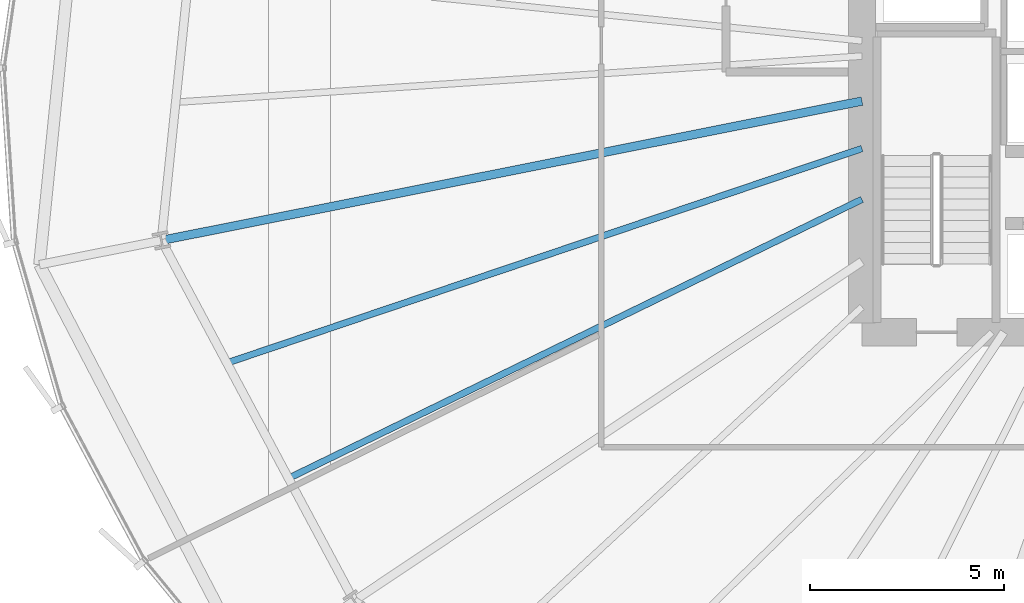
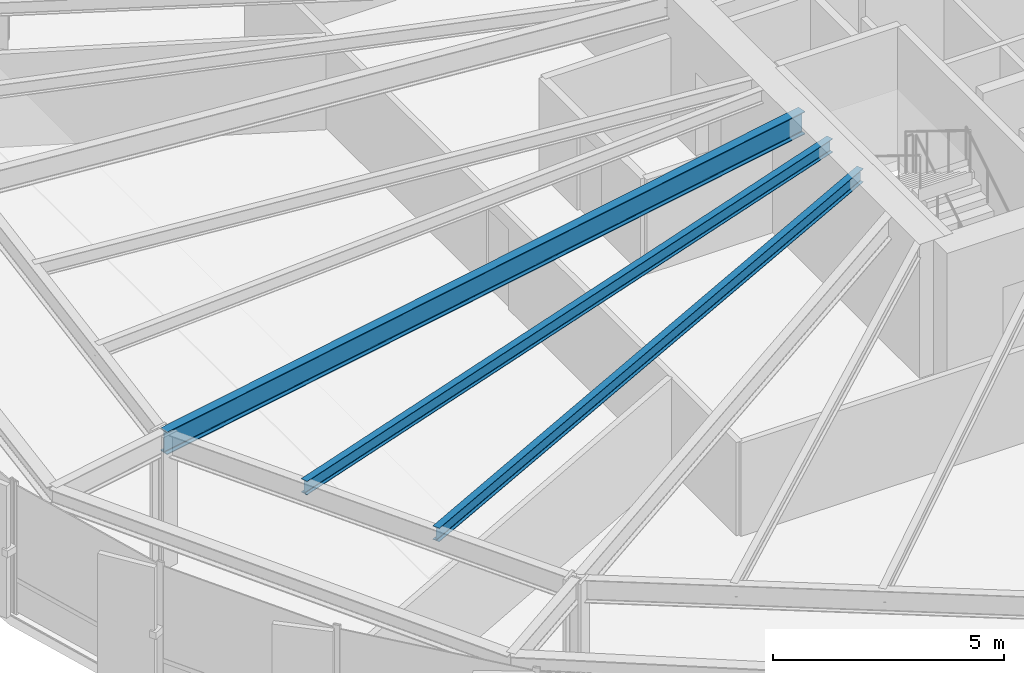
# One storey, part 7 of 35: 3 beams.
"""IFC4 building model written with IfcOpenShell, lengths in metres."""

from ifc_helpers import new_model, si_unit, direction, frame, origin, origin_2d, place, context, subcontext, project, spatial, i_section, extrude, source, transform, mapped, material, material_profile, profile_set, type_object, element, save


model = new_model("IFC4")

# Units and contexts
model_context = context("Model", 3, precision=1e-05, world=origin(), true_north=direction((0.0, 1.0)))
body_context = subcontext(model_context, "Body", "Model", "MODEL_VIEW")
ifc_project = project(units=[si_unit("LENGTHUNIT", "METRE"), si_unit("AREAUNIT", "SQUARE_METRE"), si_unit("VOLUMEUNIT", "CUBIC_METRE"), si_unit("PLANEANGLEUNIT", "RADIAN"), si_unit("MASSUNIT", "GRAM", prefix="KILO"), si_unit("THERMODYNAMICTEMPERATUREUNIT", "KELVIN")], contexts=[model_context])

# Site, building, storey
site_placement = place(None, origin())
site = spatial("IfcSite", under=ifc_project, at=site_placement, CompositionType="ELEMENT")
building_placement = place(site_placement, origin())
building = spatial("IfcBuilding", under=site, at=building_placement, Name="Kethvar Cultural Tower", CompositionType="ELEMENT")
storey_placement = place(building_placement, frame((0.0, 0.0, 71.39990234375)))
storey = spatial("IfcBuildingStorey", under=building, at=storey_placement, Name="L17", CompositionType="ELEMENT", Elevation=71.39990234375)

# Beams
ifc_material = material(Name="Steel S355J2", Category="steel")
ifc_material_profile_1 = material_profile(ifc_material, i_section(OverallWidth=0.219970703125, OverallDepth=0.60009765625, WebThickness=0.011962890625, FlangeThickness=0.01904296875, FilletRadius=0.02392578125, at=origin_2d()), Name="Steel S355J2 — IPE600")
ifc_profile_set_1 = profile_set([ifc_material_profile_1], Name="Steel S355J2 — IPE600")
beam_type_1 = type_object("IfcBeamType", Name="BM-IPE600", PredefinedType="BEAM", material=ifc_profile_set_1)
shared_shape_1 = source(origin(), body_context, "Body", "SweptSolid", [
    extrude(i_section(OverallWidth=0.219970703125, OverallDepth=0.60009765625, WebThickness=0.011962890625, FlangeThickness=0.01904296875, FilletRadius=0.02392578125, at=origin_2d()), origin(), (0.0, 0.0, 1.0), 18.387451171875),
])
beam_1_placement = place(storey_placement, frame((38.0, 26.049560546875, 3.238037109375), z_axis=(-0.980785937774, -0.195087017162, 0.0), x_axis=(0.195087017162, -0.980785937774, 0.0)))
element("IfcBeam", 1, at=beam_1_placement, inside=storey, type_object=beam_type_1, Name="L17 Primary Radial Beam RB-09", PredefinedType="BEAM", context=body_context, shape_type="MappedRepresentation", body=[
    mapped(shared_shape_1, transform((0.0, 0.0, 0.0), scale=1.0)),
])
ifc_material_profile_2 = material_profile(ifc_material, i_section(OverallWidth=0.169921875, OverallDepth=0.360107421875, WebThickness=0.008056640625, FlangeThickness=0.0126953125, FilletRadius=0.01806640625, at=origin_2d()), Name="Steel S355J2 — IPE360")
ifc_profile_set_2 = profile_set([ifc_material_profile_2], Name="Steel S355J2 — IPE360")
beam_type_2 = type_object("IfcBeamType", Name="BM-J360", PredefinedType="JOIST", material=ifc_profile_set_2)
shared_shape_2 = source(origin(), body_context, "Body", "SweptSolid", [
    extrude(i_section(OverallWidth=0.169921875, OverallDepth=0.360107421875, WebThickness=0.008056640625, FlangeThickness=0.0126953125, FilletRadius=0.01806640625, at=origin_2d()), origin(), (0.0, 0.0, 1.0), 17.255126953125),
])
beam_2_placement = place(storey_placement, frame((38.0, 24.828369140625, 3.358154296875), z_axis=(-0.947435140552, -0.319947893332, 0.0), x_axis=(0.319947893332, -0.947435140552, 0.0)))
element("IfcBeam", 2, at=beam_2_placement, inside=storey, type_object=beam_type_2, Name="L17 Composite Floor Joist J-09A", PredefinedType="JOIST", context=body_context, shape_type="MappedRepresentation", body=[
    mapped(shared_shape_2, transform((0.0, 0.0, 0.0), scale=1.0)),
])
shared_shape_3 = source(origin(), body_context, "Body", "SweptSolid", [
    extrude(i_section(OverallWidth=0.169921875, OverallDepth=0.360107421875, WebThickness=0.008056640625, FlangeThickness=0.0126953125, FilletRadius=0.01806640625, at=origin_2d()), origin(), (0.0, 0.0, 1.0), 16.4150390625),
])
beam_3_placement = place(storey_placement, frame((38.0, 23.51904296875, 3.358154296875), z_axis=(-0.899246473736, -0.437442315595, 0.0), x_axis=(0.437442315595, -0.899246473736, 0.0)))
element("IfcBeam", 3, at=beam_3_placement, inside=storey, type_object=beam_type_2, Name="L17 Composite Floor Joist J-09B", PredefinedType="JOIST", context=body_context, shape_type="MappedRepresentation", body=[
    mapped(shared_shape_3, transform((0.0, 0.0, 0.0), scale=1.0)),
])

save(model, "model.ifc")
